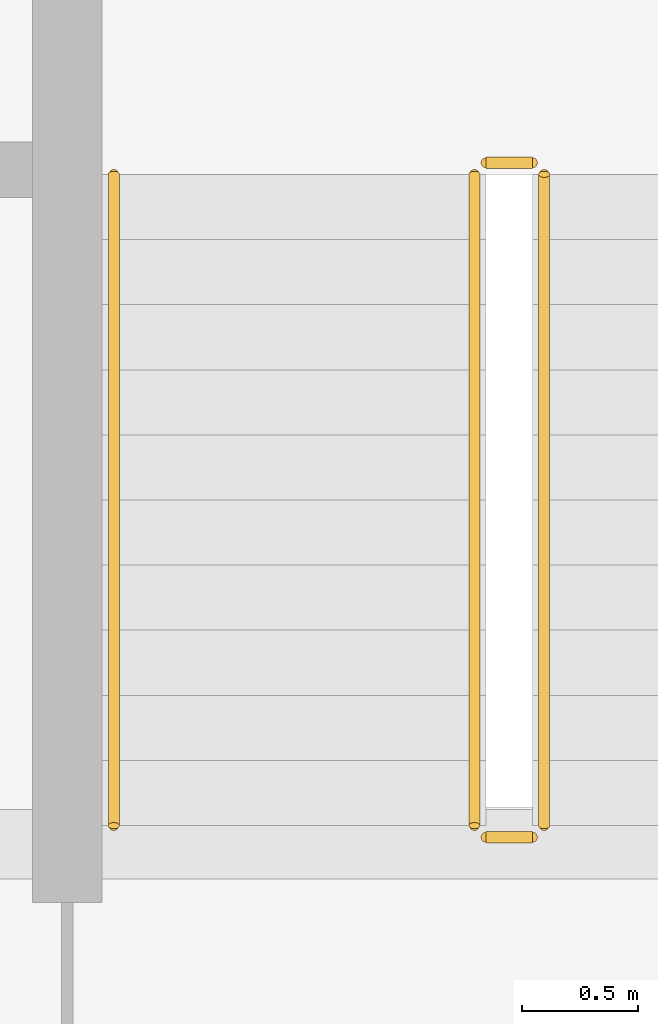
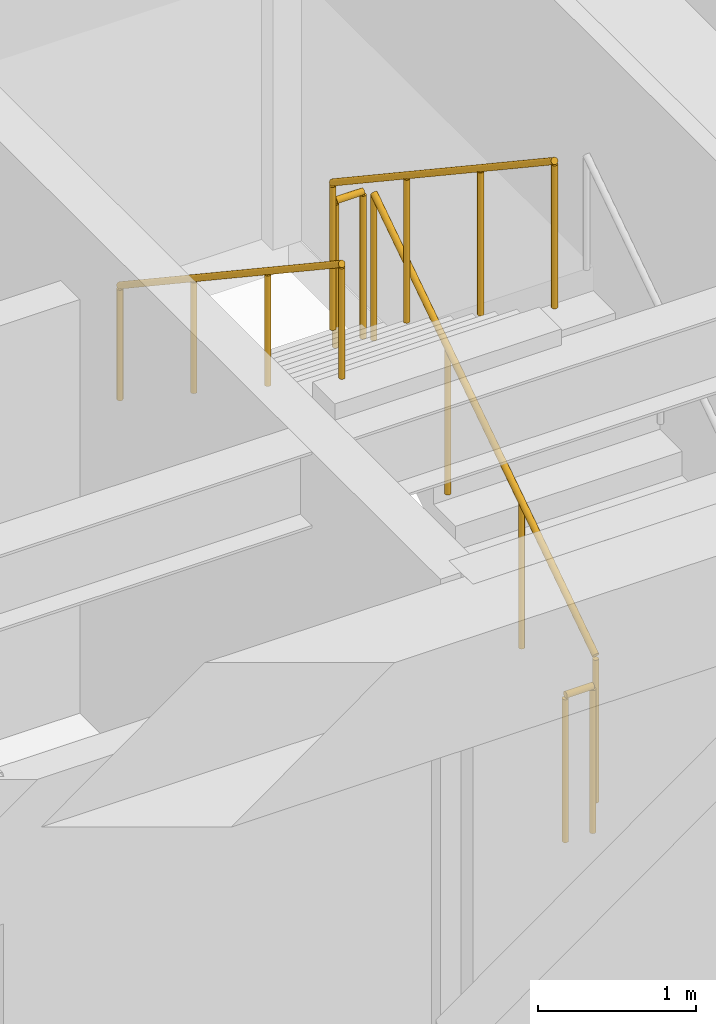
# One storey, part 33 of 34: 5 railings.
"""IFC4 building model written with IfcOpenShell, lengths in metres."""

from ifc_helpers import new_model, si_unit, direction, frame, origin, origin_2d, place, context, subcontext, project, spatial, circle, extrude, source, transform, mapped, material, type_object, type_shapes, element, save


model = new_model("IFC4")

# Units and contexts
model_context = context("Model", 3, precision=1e-05, world=origin(), true_north=direction((0.0, 1.0)))
body_context = subcontext(model_context, "Body", "Model", "MODEL_VIEW")
ifc_project = project(units=[si_unit("LENGTHUNIT", "METRE"), si_unit("AREAUNIT", "SQUARE_METRE"), si_unit("VOLUMEUNIT", "CUBIC_METRE"), si_unit("PLANEANGLEUNIT", "RADIAN"), si_unit("MASSUNIT", "GRAM", prefix="KILO")], contexts=[model_context])

# Site, building, storey
site_placement = place(None, origin())
site = spatial("IfcSite", under=ifc_project, at=site_placement, CompositionType="ELEMENT")
building_placement = place(site_placement, origin())
building = spatial("IfcBuilding", under=site, at=building_placement, Name="Haelvirn Gate Laboratories", CompositionType="ELEMENT")
storey_placement = place(building_placement, frame((0.0, 0.0, 178.89990234375)))
storey = spatial("IfcBuildingStorey", under=building, at=storey_placement, Name="L43", CompositionType="ELEMENT", Elevation=178.89990234375)

# Railings
ifc_material_1 = material(Name="Galvanised steel SM355 & stainless top rail", Category="steel")
railing_type_1 = type_object("IfcRailingType", Name="RL-GUARD-1150", PredefinedType="GUARDRAIL", material=ifc_material_1)
shared_shape_1 = source(origin(), body_context, "Body", "SweptSolid", [
    extrude(circle(Radius=0.02392578125, at=origin_2d()), frame((0.0, 0.0, 1.1259765625), z_axis=(0.0, 0.832485552168, 0.554046753832), x_axis=(-1.0, 0.0, 0.0)), (0.0, 0.0, 1.0), 3.363525390625),
    extrude(circle(Radius=0.02099609375, at=origin_2d()), origin(), (0.0, 0.0, 1.0), 1.101806640625),
    extrude(circle(Radius=0.02099609375, at=origin_2d()), frame((0.0, 0.933349609375, 0.62109375)), (0.0, 0.0, 1.0), 1.101806640625),
    extrude(circle(Radius=0.02099609375, at=origin_2d()), frame((0.0, 1.86669921875, 1.242431640625)), (0.0, 0.0, 1.0), 1.101806640625),
    extrude(circle(Radius=0.02099609375, at=origin_2d()), frame((0.0, 2.800048828125, 1.863525390625)), (0.0, 0.0, 1.0), 1.101806640625),
])
railing_1_placement = place(storey_placement, frame((65.39990234375, 26.699951171875, 0.1865234375)))
element("IfcRailing", 1, at=railing_1_placement, inside=storey, type_object=railing_type_1, Name="L43 ST2 stair guard 1", PredefinedType="GUARDRAIL", context=body_context, shape_type="MappedRepresentation", body=[
    mapped(shared_shape_1, transform((0.0, 0.0, 0.0), scale=1.0)),
])
shared_shape_2 = source(origin(), body_context, "Body", "SweptSolid", [
    extrude(circle(Radius=0.02392578125, at=origin_2d()), frame((0.0, 0.0, 1.1259765625), z_axis=(0.0, -0.832485552168, 0.554046753832), x_axis=(1.0, 0.0, 0.0)), (0.0, 0.0, 1.0), 3.363525390625),
    extrude(circle(Radius=0.02099609375, at=origin_2d()), origin(), (0.0, 0.0, 1.0), 1.101806640625),
    extrude(circle(Radius=0.02099609375, at=origin_2d()), frame((0.0, -0.933349609375, 0.62109375)), (0.0, 0.0, 1.0), 1.101806640625),
    extrude(circle(Radius=0.02099609375, at=origin_2d()), frame((0.0, -1.86669921875, 1.242431640625)), (0.0, 0.0, 1.0), 1.101806640625),
    extrude(circle(Radius=0.02099609375, at=origin_2d()), frame((0.0, -2.800048828125, 1.863525390625)), (0.0, 0.0, 1.0), 1.101806640625),
])
railing_2_placement = place(storey_placement, frame((65.10009765625, 29.5, 2.236572265625)))
element("IfcRailing", 2, at=railing_2_placement, inside=storey, type_object=railing_type_1, Name="L43 ST2 stair guard 3", PredefinedType="GUARDRAIL", context=body_context, shape_type="MappedRepresentation", body=[
    mapped(shared_shape_2, transform((0.0, 0.0, 0.0), scale=1.0)),
])
ifc_material_2 = material(Name="Brushed stainless steel 316L", Category="steel")
railing_type_2 = type_object("IfcRailingType", Name="RL-HAND-920", PredefinedType="HANDRAIL", material=ifc_material_2)
shared_shape_3 = source(origin(), body_context, "Body", "SweptSolid", [
    extrude(circle(Radius=0.02392578125, at=origin_2d()), frame((0.0, 0.0, 0.8759765625), z_axis=(0.0, -0.832485552168, 0.554046753832), x_axis=(1.0, 0.0, 0.0)), (0.0, 0.0, 1.0), 3.363525390625),
    extrude(circle(Radius=0.02099609375, at=origin_2d()), origin(), (0.0, 0.0, 1.0), 0.851806640625),
    extrude(circle(Radius=0.02099609375, at=origin_2d()), frame((0.0, -0.933349609375, 0.62109375)), (0.0, 0.0, 1.0), 0.851806640625),
    extrude(circle(Radius=0.02099609375, at=origin_2d()), frame((0.0, -1.86669921875, 1.242431640625)), (0.0, 0.0, 1.0), 0.851806640625),
    extrude(circle(Radius=0.02099609375, at=origin_2d()), frame((0.0, -2.800048828125, 1.863525390625)), (0.0, 0.0, 1.0), 0.851806640625),
])
type_shapes(railing_type_2, [shared_shape_3])
railing_3_placement = place(storey_placement, frame((63.550048828125, 29.5, 2.236572265625)))
element("IfcRailing", 3, at=railing_3_placement, inside=storey, type_object=railing_type_2, Name="L43 ST2 stair handrail 2", PredefinedType="HANDRAIL", context=body_context, shape_type="MappedRepresentation", body=[
    mapped(shared_shape_3, transform((0.0, 0.0, 0.0), scale=1.0)),
])
shared_shape_4 = source(origin(), body_context, "Body", "SweptSolid", [
    extrude(circle(Radius=0.02392578125, at=origin_2d()), frame((0.0, 0.0, 1.1259765625), z_axis=(-1.0, 0.0, 0.0), x_axis=(0.0, -1.0, 0.0)), (0.0, 0.0, 1.0), 0.2001953125),
    extrude(circle(Radius=0.02099609375, at=origin_2d()), origin(), (0.0, 0.0, 1.0), 1.101806640625),
    extrude(circle(Radius=0.02099609375, at=origin_2d()), frame((-0.2001953125, 0.0, 0.0)), (0.0, 0.0, 1.0), 1.101806640625),
])
type_shapes(railing_type_1, [shared_shape_1, shared_shape_2, shared_shape_4])
for number, where, name in (
    (4, (65.35009765625, 29.550048828125, 2.050048828125), "L43 ST2 stair guard 2"),
    (5, (65.35009765625, 26.64990234375, 0.0), "L43 ST2 stair guard 4"),
):
    element("IfcRailing", number, at=place(storey_placement, frame(where)), inside=storey, type_object=railing_type_1, Name=name, PredefinedType="GUARDRAIL", context=body_context, shape_type="MappedRepresentation", body=[
        mapped(shared_shape_4, transform((0.0, 0.0, 0.0), scale=1.0)),
    ])

save(model, "model.ifc")
